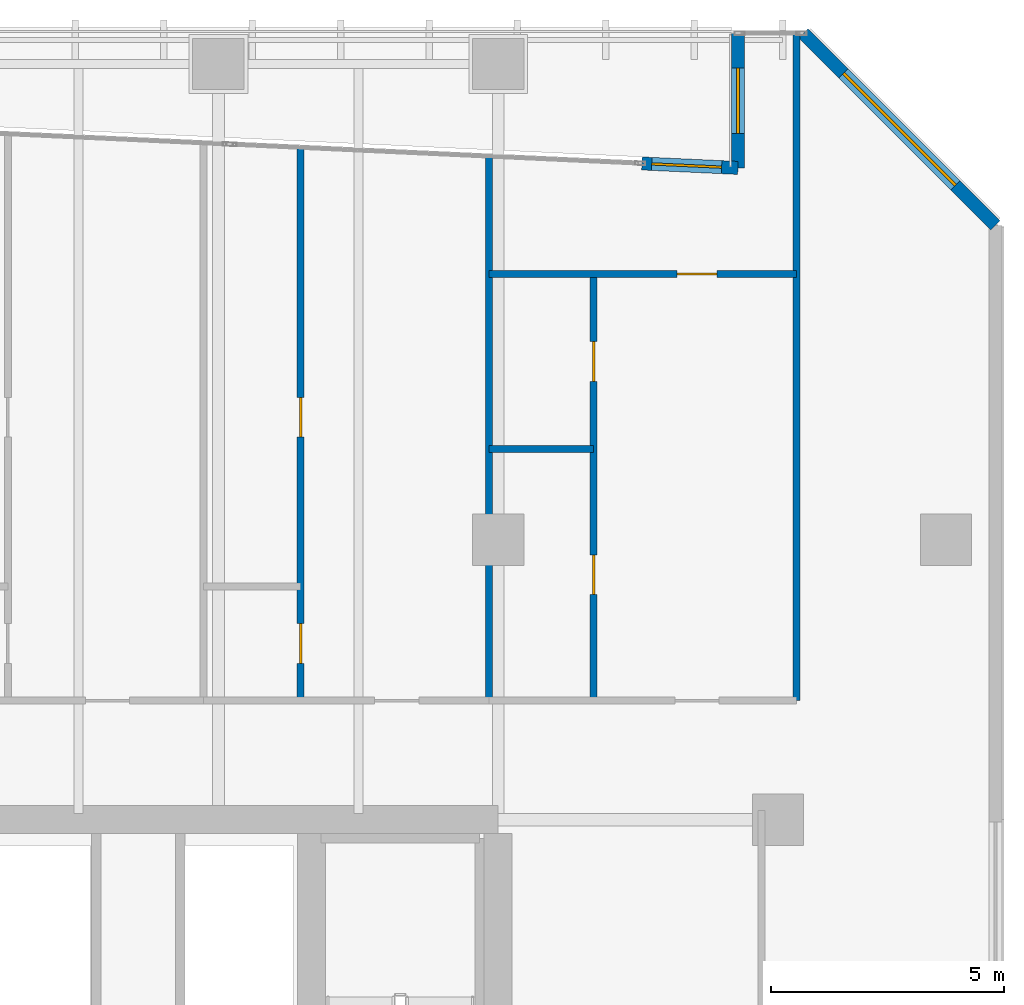
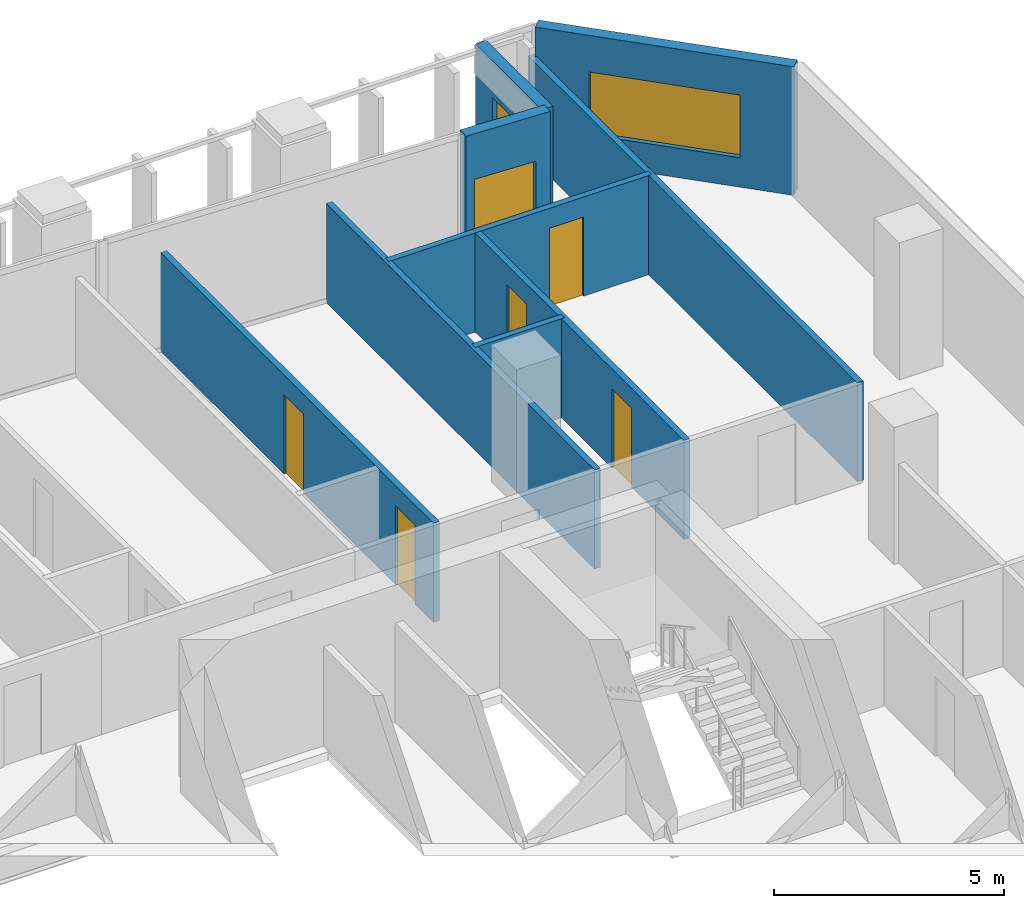
# One storey, part 24 of 31: 9 walls, 6 doors, 2 windows, 8 openings.
"""IFC4 building model written with IfcOpenShell, lengths in metres."""

import ifcopenshell
import ifcopenshell.guid

model = None  # the IFC model being written
_history = None  # IfcOwnerHistory: only IFC2X3 demands one
_inside = {}  # id of a spatial element -> (the spatial element, [elements in it])
_under = {}  # id of a project, library or spatial element -> (it, [spatial elements below it])
_declared = {}  # id of a project -> (the project, [libraries it declares])
_typed = {}  # id of a type object -> (the type object, [elements of that type])
_made_of = {}  # id of a material, layer set ... -> (it, [elements and type objects made of it])


def new_model(schema):
    """Start an empty IFC model of exactly this schema.

    Asked for "IFC4X3", IfcOpenShell would pick the latest addendum, in which some entities
    have other attributes; the version numbers below select the first issue.
    IFC2X3 requires an IfcOwnerHistory on every rooted entity: one is made here for all.
    """
    global model, _history
    if schema == "IFC4X3":
        model = ifcopenshell.file(schema_version=(4, 3, 0, 0))
    else:
        model = ifcopenshell.file(schema=schema)
    _inside.clear()
    _under.clear()
    _declared.clear()
    _typed.clear()
    _made_of.clear()
    _history = None
    if model.schema == "IFC2X3":
        org = make("IfcOrganization", Name="unknown")
        user = make(
            "IfcPersonAndOrganization",
            ThePerson=make("IfcPerson", FamilyName="unknown"),
            TheOrganization=org,
        )
        app = make(
            "IfcApplication",
            ApplicationDeveloper=org,
            Version="unknown",
            ApplicationFullName="unknown",
            ApplicationIdentifier="unknown",
        )
        _history = make(
            "IfcOwnerHistory",
            OwningUser=user,
            OwningApplication=app,
            ChangeAction="ADDED",
            CreationDate=0,
        )
    return model


def make(cls, **values):
    """One entity of the class cls with the attributes given. An attribute that is None is left unset."""
    return model.create_entity(
        cls, **{name: value for name, value in values.items() if value is not None}
    )


def rooted(cls, **values):
    """An entity with a GlobalId (a new one), such as an element, a storey or a relation."""
    return make(cls, GlobalId=ifcopenshell.guid.new(), OwnerHistory=_history, **values)


def si_unit(unit_type, name, prefix=None):
    """IfcSIUnit, for example si_unit("LENGTHUNIT", "METRE", prefix="MILLI")."""
    return make("IfcSIUnit", UnitType=unit_type, Prefix=prefix, Name=name)


def assignment(units):
    """IfcUnitAssignment: the units of a project."""
    return None if units is None else make("IfcUnitAssignment", Units=units)


def point(xyz):
    """IfcCartesianPoint."""
    return None if xyz is None else make("IfcCartesianPoint", Coordinates=xyz)


def direction(xyz):
    """IfcDirection."""
    return None if xyz is None else make("IfcDirection", DirectionRatios=xyz)


def frame(location, z_axis=None, x_axis=None):
    """IfcAxis2Placement3D, a coordinate frame: its origin and axes. An axis left out is left unset."""
    return make(
        "IfcAxis2Placement3D",
        Location=point(location),
        Axis=direction(z_axis),
        RefDirection=direction(x_axis),
    )


def frame_2d(location, x_axis=None):
    """IfcAxis2Placement2D, a coordinate frame in the plane: its origin and x axis."""
    return make(
        "IfcAxis2Placement2D", Location=point(location), RefDirection=direction(x_axis)
    )


def origin():
    """The frame at (0, 0, 0) with its axes left unset."""
    return frame((0.0, 0.0, 0.0))


def place(relative_to, where):
    """IfcLocalPlacement: puts the frame where relative to a parent placement (None: the world)."""
    return make(
        "IfcLocalPlacement", PlacementRelTo=relative_to, RelativePlacement=where
    )


def context(
    kind, dimensions, precision=None, world=None, true_north=None, identifier=None
):
    """IfcGeometricRepresentationContext, for example the 3D "Model" context."""
    return make(
        "IfcGeometricRepresentationContext",
        ContextIdentifier=identifier,
        ContextType=kind,
        CoordinateSpaceDimension=dimensions,
        Precision=precision,
        WorldCoordinateSystem=world,
        TrueNorth=true_north,
    )


def subcontext(parent, identifier, kind, view, scale=None):
    """IfcGeometricRepresentationSubContext, for example "Body" below "Model"."""
    return make(
        "IfcGeometricRepresentationSubContext",
        ContextIdentifier=identifier,
        ContextType=kind,
        ParentContext=parent,
        TargetScale=scale,
        TargetView=view,
    )


def project(units=None, contexts=None):
    """IfcProject with its units and contexts."""
    return rooted(
        "IfcProject",
        Name="project",
        RepresentationContexts=contexts,
        UnitsInContext=assignment(units),
    )


def spatial(cls, under=None, at=None, **own):
    """A site, building, storey or space (cls), placed at a placement, below another one or the project."""
    s = rooted(cls, ObjectPlacement=at, **own)
    if under is not None:
        _under.setdefault(under.id(), (under, []))[1].append(s)
    return s


def profile(cls, at=None, kind="AREA", **sizes):
    """A parametric profile (cls). Its sizes go by their IFC names, for example OverallWidth=200.0."""
    return make(cls, ProfileType=kind, Position=at, **sizes)


def rectangle(**sizes):
    """IfcRectangleProfileDef."""
    return profile("IfcRectangleProfileDef", **sizes)


def extrude(swept, where, along, depth):
    """IfcExtrudedAreaSolid: the profile swept, set in the frame where, extruded along a direction by depth."""
    return make(
        "IfcExtrudedAreaSolid",
        SweptArea=swept,
        Position=where,
        ExtrudedDirection=direction(along),
        Depth=depth,
    )


def shape(context_of_items, identifier, shape_type, items):
    """IfcShapeRepresentation: the items that make up one representation, for example the "Body"."""
    return make(
        "IfcShapeRepresentation",
        ContextOfItems=context_of_items,
        RepresentationIdentifier=identifier,
        RepresentationType=shape_type,
        Items=items,
    )


def material(Name=None, Category=None):
    """IfcMaterial."""
    return make("IfcMaterial", Name=Name, Category=Category)


def layer(
    of_material, thickness, ventilated=None, Name=None, Category=None, Priority=None
):
    """IfcMaterialLayer: one layer of a wall or slab, of a material (None: an air gap)."""
    return make(
        "IfcMaterialLayer",
        Material=of_material,
        LayerThickness=thickness,
        IsVentilated=ventilated,
        Name=Name,
        Category=Category,
        Priority=Priority,
    )


def layer_set(layers, Name=None):
    """IfcMaterialLayerSet."""
    return make("IfcMaterialLayerSet", MaterialLayers=layers, LayerSetName=Name)


def made_of(thing, what):
    """Note that an element or type object is made of a material, layer set ...; save() writes the relation."""
    if what is not None:
        _made_of.setdefault(what.id(), (what, []))[1].append(thing)
    return thing


def type_object(cls, material=None, **own):
    """A type object (cls), such as IfcWallType, which elements share."""
    return made_of(rooted(cls, **own), material)


def element(
    cls,
    number,
    at=None,
    inside=None,
    cuts=None,
    type_object=None,
    material=None,
    context=None,
    identifier="Body",
    shape_type=None,
    held_by="IfcProductDefinitionShape",
    body=None,
    shapes=None,
    **own,
):
    """One element of the class cls, such as IfcWall. Its Tag is "e" and its number.

    at: its placement. inside: the storey or other place that contains it. cuts: it is an
    opening in that element (IfcRelVoidsElement). A single representation is given by context,
    identifier, shape_type and body (its items); several are given by shapes. held_by: the class
    of the entity that holds the representations. save() writes the other relations.
    """
    e = rooted(cls, Tag="e%d" % number, ObjectPlacement=at, **own)
    if body is not None:
        shapes = [shape(context, identifier, shape_type, body)]
    if shapes is not None:
        e.Representation = make(held_by, Representations=shapes)
    if inside is not None:
        _inside.setdefault(inside.id(), (inside, []))[1].append(e)
    if cuts is not None:
        rooted(
            "IfcRelVoidsElement", RelatingBuildingElement=cuts, RelatedOpeningElement=e
        )
    if type_object is not None:
        _typed.setdefault(type_object.id(), (type_object, []))[1].append(e)
    return made_of(e, material)


def fill(opening, filler):
    """IfcRelFillsElement: the door or window that sits in an opening."""
    return rooted(
        "IfcRelFillsElement",
        RelatingOpeningElement=opening,
        RelatedBuildingElement=filler,
    )


def aggregate(whole, parts):
    """IfcRelAggregates: a whole, such as a stair, and the parts it consists of."""
    return rooted("IfcRelAggregates", RelatingObject=whole, RelatedObjects=parts)


def save(model, path):
    """Write the relations noted so far, then the file.

    IfcRelAggregates (storeys below a building ...), IfcRelContainedInSpatialStructure (elements
    in a storey), IfcRelDefinesByType, IfcRelAssociatesMaterial and IfcRelDeclares: one each for
    every whole, place, type object, material and project.
    """
    for whole, parts in _under.values():
        aggregate(whole, parts)
    for where, things in _inside.values():
        rooted(
            "IfcRelContainedInSpatialStructure",
            RelatedElements=things,
            RelatingStructure=where,
        )
    for kind, things in _typed.values():
        rooted("IfcRelDefinesByType", RelatedObjects=things, RelatingType=kind)
    for what, things in _made_of.values():
        rooted("IfcRelAssociatesMaterial", RelatedObjects=things, RelatingMaterial=what)
    for by, libraries in _declared.values():
        rooted("IfcRelDeclares", RelatingContext=by, RelatedDefinitions=libraries)
    model.write(path)


model = new_model("IFC4")

# Units and contexts
model_context = context("Model", 3, precision=1e-05, world=origin(), true_north=direction((0.0, 1.0)))
body_context = subcontext(model_context, "Body", "Model", "MODEL_VIEW")
ifc_project = project(units=[si_unit("LENGTHUNIT", "METRE"), si_unit("AREAUNIT", "SQUARE_METRE"), si_unit("VOLUMEUNIT", "CUBIC_METRE"), si_unit("PLANEANGLEUNIT", "RADIAN"), si_unit("MASSUNIT", "GRAM", prefix="KILO")], contexts=[model_context])

# Site, building, storey
site_placement = place(None, origin())
site = spatial("IfcSite", under=ifc_project, at=site_placement, CompositionType="ELEMENT")
building_placement = place(site_placement, origin())
building = spatial("IfcBuilding", under=site, at=building_placement, Name="Tanjung Sevakor Pilgrim Tower", CompositionType="ELEMENT")
storey_placement = place(building_placement, frame((0.0, 0.0, 58.739990234375)))
storey = spatial("IfcBuildingStorey", under=building, at=storey_placement, Name="L16", CompositionType="ELEMENT", Elevation=58.739990234375)

# Walls
ifc_material_1 = material(Name="Concrete C40/50", Category="concrete")
ifc_layer_1 = layer(ifc_material_1, 0.14990234375)
ifc_layer_set_1 = layer_set([ifc_layer_1], Name="WT-COMP-150")
wall_type_1 = type_object("IfcWallType", Name="WT-COMP-150", PredefinedType="SOLIDWALL", material=ifc_layer_set_1)
wall_1_placement = place(storey_placement, frame((96.39990234375, 45.14990234375, 0.0), z_axis=(0.0, 0.0, 1.0), x_axis=(0.0, 1.0, 0.0)))
element("IfcWall", 1, at=wall_1_placement, inside=storey, type_object=wall_type_1, Name="L16 Partition IW-L16-097", PredefinedType="SOLIDWALL", context=body_context, shape_type="SweptSolid", body=[
    extrude(rectangle(XDim=14.31005859375, YDim=0.14990234375, at=frame_2d((7.155029296875, 0.0))), origin(), (0.0, 0.0, 1.0), 2.6298828125),
])
wall_2_placement = place(storey_placement, frame((89.80517578125, 45.14990234375, 0.0), z_axis=(0.0, 0.0, 1.0), x_axis=(0.0, 1.0, 0.0)))
element("IfcWall", 2, at=wall_2_placement, inside=storey, type_object=wall_type_1, Name="L16 Partition IW-L16-116", PredefinedType="SOLIDWALL", context=body_context, shape_type="SweptSolid", body=[
    extrude(rectangle(XDim=11.671630859375, YDim=0.14990234375, at=frame_2d((5.8359375, 0.0))), origin(), (0.0, 0.0, 1.0), 2.6298828125),
])

# Wall, opening, window
ifc_material_2 = material(Name="Precast concrete C45/55", Category="concrete")
ifc_layer_2 = layer(ifc_material_2, 0.280029296875)
ifc_layer_set_2 = layer_set([ifc_layer_2], Name="WT-EW-STN2")
wall_type_2 = type_object("IfcWallType", Name="WT-EW-STN2", PredefinedType="SOLIDWALL", material=ifc_layer_set_2)
wall_3_placement = place(storey_placement, frame((100.659912109375, 55.342041015625, 0.0), z_axis=(0.0, 0.0, 1.0), x_axis=(-0.707106781187, 0.707106781187, 0.0)))
wall_3 = element("IfcWall", 3, at=wall_3_placement, inside=storey, type_object=wall_type_2, Name="L16 MAIN Sculpted Corner Wall 17", PredefinedType="SOLIDWALL", context=body_context, shape_type="SweptSolid", body=[
    extrude(rectangle(XDim=5.82373046875, YDim=0.280029296875, at=frame_2d((2.911865234375, 0.0))), origin(), (0.0, 0.0, 1.0), 3.409912109375),
])
opening_1_placement = place(wall_3_placement, frame((1.2119140625, 0.0, 0.780029296875)))
opening_1 = element("IfcOpeningElement", 4, at=opening_1_placement, cuts=wall_3, Name="Opening WN-CHM-1660", PredefinedType="OPENING", context=body_context, shape_type="SweptSolid", body=[
    extrude(rectangle(XDim=3.39990234375, YDim=1.659912109375, at=frame_2d((1.699951171875, 0.830078125))), frame((0.0, 0.14990234375, 0.0), z_axis=(0.0, -1.0, 0.0), x_axis=(1.0, 0.0, 0.0)), (0.0, 0.0, 1.0), 0.300048828125),
])
ifc_material_3 = material(Name="Thermally Broken Aluminium and Low-E Glass", Category="aluminium")
window_type_1 = type_object("IfcWindowType", Name="WTYP-WN-CHM-1660", PartitioningType="DOUBLE_PANEL_VERTICAL", PredefinedType="WINDOW", material=ifc_material_3)
window_1_placement = place(opening_1_placement, origin())
window_1 = element("IfcWindow", 5, at=window_1_placement, inside=storey, type_object=window_type_1, Name="L16 Facade Window 01", OverallHeight=1.659912109375, OverallWidth=3.39990234375, PartitioningType="SINGLE_PANEL", PredefinedType="WINDOW", context=body_context, shape_type="SweptSolid", body=[
    extrude(rectangle(XDim=3.39990234375, YDim=1.659912109375, at=frame_2d((1.699951171875, 0.830078125))), frame((0.0, 0.030029296875, 0.0), z_axis=(0.0, -1.0, 0.0), x_axis=(1.0, 0.0, 0.0)), (0.0, 0.0, 1.0), 0.06005859375),
])
fill(opening_1, window_1)

wall_4_placement = place(storey_placement, frame((95.139892578125, 59.4599609375, 0.0), z_axis=(0.0, 0.0, 1.0), x_axis=(0.0, -1.0, 0.0)))
wall_4 = element("IfcWall", 6, at=wall_4_placement, inside=storey, type_object=wall_type_2, Name="L16 MAIN Exterior Wall 20", PredefinedType="SOLIDWALL", context=body_context, shape_type="SweptSolid", body=[
    extrude(rectangle(XDim=2.88671875, YDim=0.280029296875, at=frame_2d((1.443359375, 0.0))), origin(), (0.0, 0.0, 1.0), 3.409912109375),
])
opening_2_placement = place(wall_4_placement, frame((0.743408203125, 0.0, 0.780029296875)))
opening_2 = element("IfcOpeningElement", 7, at=opening_2_placement, cuts=wall_4, Name="Opening WN-END", PredefinedType="OPENING", context=body_context, shape_type="SweptSolid", body=[
    extrude(rectangle(XDim=1.39990234375, YDim=1.64990234375, at=frame_2d((0.699951171875, 0.824951171875))), frame((0.0, 0.14990234375, 0.0), z_axis=(0.0, -1.0, 0.0), x_axis=(1.0, 0.0, 0.0)), (0.0, 0.0, 1.0), 0.300048828125),
])
ifc_material_4 = material(Name="Thermally Broken Aluminium and Low-E Glass", Category="aluminium")
window_type_2 = type_object("IfcWindowType", Name="WTYP-WN-END", PartitioningType="SINGLE_PANEL", PredefinedType="WINDOW", material=ifc_material_4)
window_2_placement = place(opening_2_placement, origin())
window_2 = element("IfcWindow", 8, at=window_2_placement, inside=storey, type_object=window_type_2, Name="L16 Facade Window 01", OverallHeight=1.64990234375, OverallWidth=1.39990234375, PartitioningType="SINGLE_PANEL", PredefinedType="WINDOW", context=body_context, shape_type="SweptSolid", body=[
    extrude(rectangle(XDim=1.39990234375, YDim=1.64990234375, at=frame_2d((0.699951171875, 0.824951171875))), frame((0.0, 0.030029296875, 0.0), z_axis=(0.0, -1.0, 0.0), x_axis=(1.0, 0.0, 0.0)), (0.0, 0.0, 1.0), 0.06005859375),
])
fill(opening_2, window_2)

# Wall, opening, door
wall_5_placement = place(storey_placement, frame((95.139892578125, 56.5732421875, 0.0), z_axis=(0.0, 0.0, 1.0), x_axis=(-0.998920086078, 0.046461399352, 0.0)))
wall_5 = element("IfcWall", 9, at=wall_5_placement, inside=storey, type_object=wall_type_2, Name="L16 S-Curve Terrace Threshold Wall 20", PredefinedType="SOLIDWALL", context=body_context, shape_type="SweptSolid", body=[
    extrude(rectangle(XDim=2.059814453125, YDim=0.280029296875, at=frame_2d((1.02978515625, 0.0))), origin(), (0.0, 0.0, 1.0), 3.409912109375),
])
opening_3_placement = place(wall_5_placement, frame((0.35009765625, 0.0, 0.0)))
opening_3 = element("IfcOpeningElement", 10, at=opening_3_placement, cuts=wall_5, Name="Opening ED-TER-1500", PredefinedType="OPENING", context=body_context, shape_type="SweptSolid", body=[
    extrude(rectangle(XDim=1.5, YDim=2.199951171875, at=frame_2d((0.75, 1.10009765625))), frame((0.0, 0.14990234375, 0.0), z_axis=(0.0, -1.0, 0.0), x_axis=(1.0, 0.0, 0.0)), (0.0, 0.0, 1.0), 0.300048828125),
])
ifc_material_5 = material(Name="Anodised Aluminium and Laminated Glass", Category="aluminium")
door_type_1 = type_object("IfcDoorType", Name="DTYP-ED-TER-1500", OperationType="DOUBLE_DOOR_SINGLE_SWING", PredefinedType="DOOR", material=ifc_material_5)
door_1_placement = place(opening_3_placement, frame((1.5, 0.0, 0.0), z_axis=(0.0, 0.0, 1.0), x_axis=(-1.0, 0.0, 0.0)))
door_1 = element("IfcDoor", 11, at=door_1_placement, inside=storey, type_object=door_type_1, Name="L16 S-Curve Terrace Access Door 20", OperationType="SINGLE_SWING_RIGHT", OverallHeight=2.199951171875, OverallWidth=1.5, PredefinedType="DOOR", context=body_context, shape_type="SweptSolid", body=[
    extrude(rectangle(XDim=1.5, YDim=2.199951171875, at=frame_2d((0.75, 1.10009765625))), frame((0.0, 0.02490234375, 0.0), z_axis=(0.0, -1.0, 0.0), x_axis=(1.0, 0.0, 0.0)), (0.0, 0.0, 1.0), 0.050048828125),
])
fill(opening_3, door_1)

# Wall, openings, doors
ifc_material_6 = material(Name="Gypsum Board Partition", Category="gypsum board")
ifc_layer_3 = layer(ifc_material_6, 0.14990234375)
ifc_layer_set_3 = layer_set([ifc_layer_3], Name="WT-PART-150")
wall_type_3 = type_object("IfcWallType", Name="WT-PART-150", PredefinedType="PARTITIONING", material=ifc_layer_set_3)
wall_6_placement = place(storey_placement, frame((85.763427734375, 45.14990234375, 0.0), z_axis=(0.0, 0.0, 1.0), x_axis=(0.0, 1.0, 0.0)))
wall_6 = element("IfcWall", 12, at=wall_6_placement, inside=storey, type_object=wall_type_3, Name="L16 Partition IW-L16-118", PredefinedType="PARTITIONING", context=body_context, shape_type="SweptSolid", body=[
    extrude(rectangle(XDim=11.859619140625, YDim=0.14990234375, at=frame_2d((5.9296875, 0.0))), origin(), (0.0, 0.0, 1.0), 2.6298828125),
])
opening_4_placement = place(wall_6_placement, frame((0.800048828125, 0.0, 0.0)))
opening_4 = element("IfcOpeningElement", 13, at=opening_4_placement, cuts=wall_6, Name="Opening ID-WC1", PredefinedType="OPENING", context=body_context, shape_type="SweptSolid", body=[
    extrude(rectangle(XDim=0.85009765625, YDim=2.10009765625, at=frame_2d((0.425048828125, 1.050048828125))), frame((0.0, 0.0849609375, 0.0), z_axis=(0.0, -1.0, 0.0), x_axis=(1.0, 0.0, 0.0)), (0.0, 0.0, 1.0), 0.169921875),
])
opening_5_placement = place(wall_6_placement, frame((5.64990234375, 0.0, 0.0)))
opening_5 = element("IfcOpeningElement", 14, at=opening_5_placement, cuts=wall_6, Name="Opening ID-WC1", PredefinedType="OPENING", context=body_context, shape_type="SweptSolid", body=[
    extrude(rectangle(XDim=0.85009765625, YDim=2.10009765625, at=frame_2d((0.425048828125, 1.050048828125))), frame((0.0, 0.0849609375, 0.0), z_axis=(0.0, -1.0, 0.0), x_axis=(1.0, 0.0, 0.0)), (0.0, 0.0, 1.0), 0.169921875),
])
ifc_material_7 = material(Name="Moisture-Resistant Timber", Category="wood")
door_type_2 = type_object("IfcDoorType", Name="DT-INT-850", OperationType="NOTDEFINED", PredefinedType="DOOR", material=ifc_material_7)
door_2_placement = place(opening_4_placement, origin())
door_2 = element("IfcDoor", 15, at=door_2_placement, inside=storey, type_object=door_type_2, Name="Bathroom Door", OperationType="SINGLE_SWING_LEFT", OverallHeight=2.10009765625, OverallWidth=0.85009765625, PredefinedType="DOOR", context=body_context, shape_type="SweptSolid", body=[
    extrude(rectangle(XDim=0.85009765625, YDim=2.10009765625, at=frame_2d((0.425048828125, 1.050048828125))), frame((0.0, 0.02490234375, 0.0), z_axis=(0.0, -1.0, 0.0), x_axis=(1.0, 0.0, 0.0)), (0.0, 0.0, 1.0), 0.050048828125),
])
fill(opening_4, door_2)
door_3_placement = place(opening_5_placement, origin())
door_3 = element("IfcDoor", 16, at=door_3_placement, inside=storey, type_object=door_type_2, Name="Study Nook Door", OperationType="SINGLE_SWING_RIGHT", OverallHeight=2.10009765625, OverallWidth=0.85009765625, PredefinedType="DOOR", context=body_context, shape_type="SweptSolid", body=[
    extrude(rectangle(XDim=0.85009765625, YDim=2.10009765625, at=frame_2d((0.425048828125, 1.050048828125))), frame((0.0, 0.02490234375, 0.0), z_axis=(0.0, -1.0, 0.0), x_axis=(1.0, 0.0, 0.0)), (0.0, 0.0, 1.0), 0.050048828125),
])
fill(opening_5, door_3)

# Wall
wall_7_placement = place(storey_placement, frame((89.80517578125, 50.548583984375, 0.0), z_axis=(0.0, 0.0, 1.0), x_axis=(1.0, 0.0, 0.0)))
element("IfcWall", 17, at=wall_7_placement, inside=storey, type_object=wall_type_3, Name="L16 Partition IW-L16-120", PredefinedType="PARTITIONING", context=body_context, shape_type="SweptSolid", body=[
    extrude(rectangle(XDim=2.2421875, YDim=0.14990234375, at=frame_2d((1.12109375, 0.0))), origin(), (0.0, 0.0, 1.0), 2.6298828125),
])

# Wall, openings, doors
wall_8_placement = place(storey_placement, frame((92.04736328125, 45.14990234375, 0.0), z_axis=(0.0, 0.0, 1.0), x_axis=(0.0, 1.0, 0.0)))
wall_8 = element("IfcWall", 18, at=wall_8_placement, inside=storey, type_object=wall_type_3, Name="L16 Partition IW-L16-121", PredefinedType="PARTITIONING", context=body_context, shape_type="SweptSolid", body=[
    extrude(rectangle(XDim=9.150146484375, YDim=0.14990234375, at=frame_2d((4.5751953125, 0.0))), origin(), (0.0, 0.0, 1.0), 2.6298828125),
])
opening_6_placement = place(wall_8_placement, frame((2.274169921875, 0.0, 0.0)))
opening_6 = element("IfcOpeningElement", 19, at=opening_6_placement, cuts=wall_8, Name="Opening ID-WC1", PredefinedType="OPENING", context=body_context, shape_type="SweptSolid", body=[
    extrude(rectangle(XDim=0.85009765625, YDim=2.10009765625, at=frame_2d((0.425048828125, 1.050048828125))), frame((0.0, 0.0849609375, 0.0), z_axis=(0.0, -1.0, 0.0), x_axis=(1.0, 0.0, 0.0)), (0.0, 0.0, 1.0), 0.169921875),
])
opening_7_placement = place(wall_8_placement, frame((6.84912109375, 0.0, 0.0)))
opening_7 = element("IfcOpeningElement", 20, at=opening_7_placement, cuts=wall_8, Name="Opening ID-WC1", PredefinedType="OPENING", context=body_context, shape_type="SweptSolid", body=[
    extrude(rectangle(XDim=0.85009765625, YDim=2.10009765625, at=frame_2d((0.425048828125, 1.050048828125))), frame((0.0, 0.0849609375, 0.0), z_axis=(0.0, -1.0, 0.0), x_axis=(1.0, 0.0, 0.0)), (0.0, 0.0, 1.0), 0.169921875),
])
door_4_placement = place(opening_6_placement, origin())
door_4 = element("IfcDoor", 21, at=door_4_placement, inside=storey, type_object=door_type_2, Name="Residence Kitchenette Door", OperationType="SINGLE_SWING_RIGHT", OverallHeight=2.10009765625, OverallWidth=0.85009765625, PredefinedType="DOOR", context=body_context, shape_type="SweptSolid", body=[
    extrude(rectangle(XDim=0.85009765625, YDim=2.10009765625, at=frame_2d((0.425048828125, 1.050048828125))), frame((0.0, 0.02490234375, 0.0), z_axis=(0.0, -1.0, 0.0), x_axis=(1.0, 0.0, 0.0)), (0.0, 0.0, 1.0), 0.050048828125),
])
fill(opening_6, door_4)
door_5_placement = place(opening_7_placement, origin())
door_5 = element("IfcDoor", 22, at=door_5_placement, inside=storey, type_object=door_type_2, Name="Residence Bathroom Door", OperationType="SINGLE_SWING_LEFT", OverallHeight=2.10009765625, OverallWidth=0.85009765625, PredefinedType="DOOR", context=body_context, shape_type="SweptSolid", body=[
    extrude(rectangle(XDim=0.85009765625, YDim=2.10009765625, at=frame_2d((0.425048828125, 1.050048828125))), frame((0.0, 0.02490234375, 0.0), z_axis=(0.0, -1.0, 0.0), x_axis=(1.0, 0.0, 0.0)), (0.0, 0.0, 1.0), 0.050048828125),
])
fill(opening_7, door_5)

# Wall, opening, door
wall_9_placement = place(storey_placement, frame((89.80517578125, 54.300048828125, 0.0), z_axis=(0.0, 0.0, 1.0), x_axis=(1.0, 0.0, 0.0)))
wall_9 = element("IfcWall", 23, at=wall_9_placement, inside=storey, type_object=wall_type_3, Name="L16 Partition IW-L16-122", PredefinedType="PARTITIONING", context=body_context, shape_type="SweptSolid", body=[
    extrude(rectangle(XDim=6.5947265625, YDim=0.14990234375, at=frame_2d((3.29736328125, 0.0))), origin(), (0.0, 0.0, 1.0), 2.6298828125),
])
opening_8_placement = place(wall_9_placement, frame((4.03369140625, 0.0, 0.0)))
opening_8 = element("IfcOpeningElement", 24, at=opening_8_placement, cuts=wall_9, Name="Opening ID-WC1", PredefinedType="OPENING", context=body_context, shape_type="SweptSolid", body=[
    extrude(rectangle(XDim=0.85009765625, YDim=2.10009765625, at=frame_2d((0.425048828125, 1.050048828125))), frame((0.0, 0.0849609375, 0.0), z_axis=(0.0, -1.0, 0.0), x_axis=(1.0, 0.0, 0.0)), (0.0, 0.0, 1.0), 0.169921875),
])
door_6_placement = place(opening_8_placement, origin())
door_6 = element("IfcDoor", 25, at=door_6_placement, inside=storey, type_object=door_type_2, Name="Residence Bedroom Door", OperationType="SINGLE_SWING_RIGHT", OverallHeight=2.10009765625, OverallWidth=0.85009765625, PredefinedType="DOOR", context=body_context, shape_type="SweptSolid", body=[
    extrude(rectangle(XDim=0.85009765625, YDim=2.10009765625, at=frame_2d((0.425048828125, 1.050048828125))), frame((0.0, 0.02490234375, 0.0), z_axis=(0.0, -1.0, 0.0), x_axis=(1.0, 0.0, 0.0)), (0.0, 0.0, 1.0), 0.050048828125),
])
fill(opening_8, door_6)

save(model, "model.ifc")
